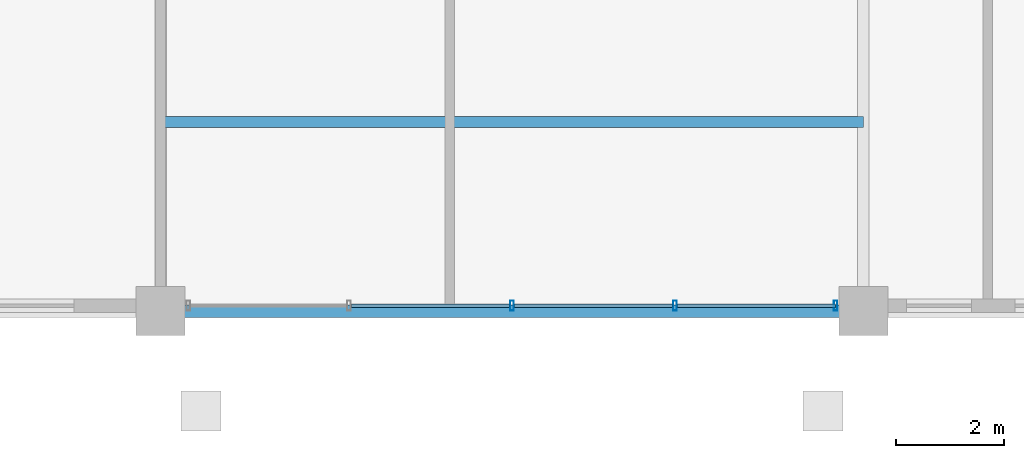
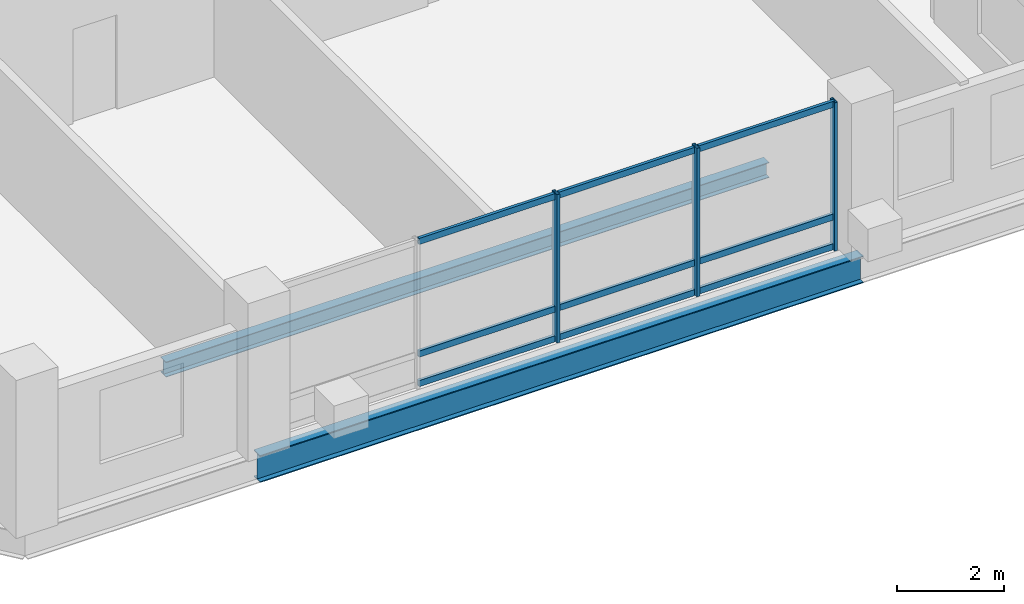
# One storey, part 4 of 21: 12 members, 2 beams, 1 element without a shape of its own.
"""IFC4 building model written with IfcOpenShell, lengths in metres."""

from ifc_helpers import new_model, si_unit, direction, frame, origin, origin_2d, place, context, subcontext, project, spatial, hollow_rectangle, i_section, extrude, material, layer, layer_set, material_profile, profile_set, type_object, element, aggregate, save


model = new_model("IFC4")

# Units and contexts
model_context = context("Model", 3, precision=1e-05, world=origin(), true_north=direction((0.0, 1.0)))
body_context = subcontext(model_context, "Body", "Model", "MODEL_VIEW")
ifc_project = project(units=[si_unit("LENGTHUNIT", "METRE"), si_unit("AREAUNIT", "SQUARE_METRE"), si_unit("VOLUMEUNIT", "CUBIC_METRE"), si_unit("PLANEANGLEUNIT", "RADIAN"), si_unit("MASSUNIT", "GRAM", prefix="KILO")], contexts=[model_context])

# Site, building, storey
site_placement = place(None, origin())
site = spatial("IfcSite", under=ifc_project, at=site_placement, CompositionType="ELEMENT")
building_placement = place(site_placement, origin())
building = spatial("IfcBuilding", under=site, at=building_placement, Name="Barlavira Tower and Art Museum", CompositionType="ELEMENT")
storey_placement = place(building_placement, frame((0.0, 0.0, 254.699951171875)))
storey = spatial("IfcBuildingStorey", under=building, at=storey_placement, Name="L66", CompositionType="ELEMENT", Elevation=254.699951171875)

# Curtain wall, members
ifc_material_1 = material(Name="Low-iron coastal laminated glass", Category="glass")
ifc_layer = layer(ifc_material_1, 0.2099609375, Name="Low-iron coastal laminated glass")
ifc_layer_set = layer_set([ifc_layer], Name="Low-iron coastal laminated glass")
curtain_wall_type = type_object("IfcCurtainWallType", Name="Pale-Metal Unitised Curtain Wall Zone 4", PredefinedType="NOTDEFINED", material=ifc_layer_set)
curtain_wall_placement = place(storey_placement, origin())
curtain_wall = element("IfcCurtainWall", 1, at=curtain_wall_placement, inside=storey, type_object=curtain_wall_type, Name="L66 Curtain Wall CW4-L66-S-B2", PredefinedType="NOTDEFINED")
ifc_material_2 = material(Name="Pale anodised aluminium", Category="aluminium")
ifc_material_profile_1 = material_profile(ifc_material_2, hollow_rectangle(XDim=0.06494140625, YDim=0.179931640625, WallThickness=0.00390625, at=origin_2d()), Name="ALU-MULL 65x180x4")
ifc_profile_set_1 = profile_set([ifc_material_profile_1], Name="Pale anodised aluminium")
member_type_1 = type_object("IfcMemberType", Name="Curtain Wall Pale-Metal Mullion 65x180", PredefinedType="MULLION", material=ifc_profile_set_1)
member_1_placement = place(storey_placement, frame((0.0, -19.89990234375, 0.0), z_axis=(0.0, 0.0, 1.0), x_axis=(1.0, 0.0, 0.0)))
member_1 = element("IfcMember", 2, at=member_1_placement, type_object=member_type_1, Name="CW4-L66-S-B2 Mullion 2", PredefinedType="MULLION", context=body_context, shape_type="SweptSolid", body=[
    extrude(hollow_rectangle(XDim=0.06494140625, YDim=0.179931640625, WallThickness=0.00390625, at=origin_2d()), origin(), (0.0, 0.0, 1.0), 3.380126953125),
])
member_2_placement = place(storey_placement, frame((3.014892578125, -19.89990234375, 0.0), z_axis=(0.0, 0.0, 1.0), x_axis=(1.0, 0.0, 0.0)))
member_2 = element("IfcMember", 3, at=member_2_placement, type_object=member_type_1, Name="CW4-L66-S-B2 Mullion 3", PredefinedType="MULLION", context=body_context, shape_type="SweptSolid", body=[
    extrude(hollow_rectangle(XDim=0.06494140625, YDim=0.179931640625, WallThickness=0.00390625, at=origin_2d()), origin(), (0.0, 0.0, 1.0), 3.380126953125),
])
member_3_placement = place(storey_placement, frame((5.985107421875, -19.89990234375, 0.0), z_axis=(0.0, 0.0, 1.0), x_axis=(1.0, 0.0, 0.0)))
member_3 = element("IfcMember", 4, at=member_3_placement, type_object=member_type_1, Name="CW4-L66-S-B2 Mullion 4", PredefinedType="MULLION", context=body_context, shape_type="SweptSolid", body=[
    extrude(hollow_rectangle(XDim=0.06494140625, YDim=0.179931640625, WallThickness=0.00390625, at=origin_2d()), origin(), (0.0, 0.0, 1.0), 3.380126953125),
])
ifc_material_profile_2 = material_profile(ifc_material_2, hollow_rectangle(XDim=0.06494140625, YDim=0.139892578125, WallThickness=0.00390625, at=origin_2d()), Name="ALU-TRAN 65x140x4")
ifc_profile_set_2 = profile_set([ifc_material_profile_2], Name="Pale anodised aluminium")
member_type_2 = type_object("IfcMemberType", Name="Curtain Wall Pale-Metal Transom 65x140", PredefinedType="USERDEFINED", material=ifc_profile_set_2)
member_4_placement = place(storey_placement, frame((-2.969970703125, -19.89990234375, 0.070068359375), z_axis=(1.0, 0.0, 0.0), x_axis=(0.0, 1.0, 0.0)))
member_4 = element("IfcMember", 5, at=member_4_placement, type_object=member_type_2, Name="CW4-L66-S-B2 Transom 1.1", ObjectType="TRANSOM", PredefinedType="USERDEFINED", context=body_context, shape_type="SweptSolid", body=[
    extrude(hollow_rectangle(XDim=0.06494140625, YDim=0.139892578125, WallThickness=0.00390625, at=origin_2d()), origin(), (0.0, 0.0, 1.0), 2.925048828125),
])
member_5_placement = place(storey_placement, frame((-2.969970703125, -19.89990234375, 0.744140625), z_axis=(1.0, 0.0, 0.0), x_axis=(0.0, 1.0, 0.0)))
member_5 = element("IfcMember", 6, at=member_5_placement, type_object=member_type_2, Name="CW4-L66-S-B2 Transom 1.2", ObjectType="TRANSOM", PredefinedType="USERDEFINED", context=body_context, shape_type="SweptSolid", body=[
    extrude(hollow_rectangle(XDim=0.06494140625, YDim=0.139892578125, WallThickness=0.00390625, at=origin_2d()), origin(), (0.0, 0.0, 1.0), 2.925048828125),
])
member_6_placement = place(storey_placement, frame((-2.969970703125, -19.89990234375, 3.31005859375), z_axis=(1.0, 0.0, 0.0), x_axis=(0.0, 1.0, 0.0)))
member_6 = element("IfcMember", 7, at=member_6_placement, type_object=member_type_2, Name="CW4-L66-S-B2 Transom 1.3", ObjectType="TRANSOM", PredefinedType="USERDEFINED", context=body_context, shape_type="SweptSolid", body=[
    extrude(hollow_rectangle(XDim=0.06494140625, YDim=0.139892578125, WallThickness=0.00390625, at=origin_2d()), origin(), (0.0, 0.0, 1.0), 2.925048828125),
])
member_7_placement = place(storey_placement, frame((0.044921875, -19.89990234375, 0.070068359375), z_axis=(1.0, 0.0, 0.0), x_axis=(0.0, 1.0, 0.0)))
member_7 = element("IfcMember", 8, at=member_7_placement, type_object=member_type_2, Name="CW4-L66-S-B2 Transom 2.1", ObjectType="TRANSOM", PredefinedType="USERDEFINED", context=body_context, shape_type="SweptSolid", body=[
    extrude(hollow_rectangle(XDim=0.06494140625, YDim=0.139892578125, WallThickness=0.00390625, at=origin_2d()), origin(), (0.0, 0.0, 1.0), 2.925048828125),
])
member_8_placement = place(storey_placement, frame((0.044921875, -19.89990234375, 0.744140625), z_axis=(1.0, 0.0, 0.0), x_axis=(0.0, 1.0, 0.0)))
member_8 = element("IfcMember", 9, at=member_8_placement, type_object=member_type_2, Name="CW4-L66-S-B2 Transom 2.2", ObjectType="TRANSOM", PredefinedType="USERDEFINED", context=body_context, shape_type="SweptSolid", body=[
    extrude(hollow_rectangle(XDim=0.06494140625, YDim=0.139892578125, WallThickness=0.00390625, at=origin_2d()), origin(), (0.0, 0.0, 1.0), 2.925048828125),
])
member_9_placement = place(storey_placement, frame((0.044921875, -19.89990234375, 3.31005859375), z_axis=(1.0, 0.0, 0.0), x_axis=(0.0, 1.0, 0.0)))
member_9 = element("IfcMember", 10, at=member_9_placement, type_object=member_type_2, Name="CW4-L66-S-B2 Transom 2.3", ObjectType="TRANSOM", PredefinedType="USERDEFINED", context=body_context, shape_type="SweptSolid", body=[
    extrude(hollow_rectangle(XDim=0.06494140625, YDim=0.139892578125, WallThickness=0.00390625, at=origin_2d()), origin(), (0.0, 0.0, 1.0), 2.925048828125),
])
member_10_placement = place(storey_placement, frame((3.06005859375, -19.89990234375, 0.070068359375), z_axis=(1.0, 0.0, 0.0), x_axis=(0.0, 1.0, 0.0)))
member_10 = element("IfcMember", 11, at=member_10_placement, type_object=member_type_2, Name="CW4-L66-S-B2 Transom 3.1", ObjectType="TRANSOM", PredefinedType="USERDEFINED", context=body_context, shape_type="SweptSolid", body=[
    extrude(hollow_rectangle(XDim=0.06494140625, YDim=0.139892578125, WallThickness=0.00390625, at=origin_2d()), origin(), (0.0, 0.0, 1.0), 2.925048828125),
])
member_11_placement = place(storey_placement, frame((3.06005859375, -19.89990234375, 0.744140625), z_axis=(1.0, 0.0, 0.0), x_axis=(0.0, 1.0, 0.0)))
member_11 = element("IfcMember", 12, at=member_11_placement, type_object=member_type_2, Name="CW4-L66-S-B2 Transom 3.2", ObjectType="TRANSOM", PredefinedType="USERDEFINED", context=body_context, shape_type="SweptSolid", body=[
    extrude(hollow_rectangle(XDim=0.06494140625, YDim=0.139892578125, WallThickness=0.00390625, at=origin_2d()), origin(), (0.0, 0.0, 1.0), 2.925048828125),
])
member_12_placement = place(storey_placement, frame((3.06005859375, -19.89990234375, 3.31005859375), z_axis=(1.0, 0.0, 0.0), x_axis=(0.0, 1.0, 0.0)))
member_12 = element("IfcMember", 13, at=member_12_placement, type_object=member_type_2, Name="CW4-L66-S-B2 Transom 3.3", ObjectType="TRANSOM", PredefinedType="USERDEFINED", context=body_context, shape_type="SweptSolid", body=[
    extrude(hollow_rectangle(XDim=0.06494140625, YDim=0.139892578125, WallThickness=0.00390625, at=origin_2d()), origin(), (0.0, 0.0, 1.0), 2.925048828125),
])
aggregate(curtain_wall, [member_1, member_2, member_3, member_4, member_5, member_6, member_7, member_8, member_9, member_10, member_11, member_12])

# Beams
ifc_material_3 = material(Name="Steel S355", Category="steel")
ifc_material_profile_3 = material_profile(ifc_material_3, i_section(OverallWidth=0.22998046875, OverallDepth=0.616943359375, WebThickness=0.01318359375, FlangeThickness=0.022216796875, at=origin_2d()), Name="W610x140.0")
ifc_profile_set_3 = profile_set([ifc_material_profile_3], Name="Steel S355")
beam_type_1 = type_object("IfcBeamType", Name="Upper Shaft Spandrel Edge Beam W610x140 Steel S355", PredefinedType="SPANDREL", material=ifc_profile_set_3)
beam_1_placement = place(storey_placement, frame((-6.5, -20.0, -0.528564453125), z_axis=(1.0, 0.0, 0.0), x_axis=(0.0, 1.0, 0.0)))
element("IfcBeam", 14, at=beam_1_placement, inside=storey, type_object=beam_type_1, Name="L66 Spandrel 2", PredefinedType="SPANDREL", context=body_context, shape_type="SweptSolid", body=[
    extrude(i_section(OverallWidth=0.22998046875, OverallDepth=0.616943359375, WebThickness=0.01318359375, FlangeThickness=0.022216796875, at=origin_2d()), origin(), (0.0, 0.0, 1.0), 13.0),
])
ifc_material_profile_4 = material_profile(ifc_material_3, i_section(OverallWidth=0.202880859375, OverallDepth=0.346923828125, WebThickness=0.0078125, FlangeThickness=0.013427734375, at=origin_2d()), Name="W360x64.0")
ifc_profile_set_4 = profile_set([ifc_material_profile_4], Name="Steel S355")
beam_type_2 = type_object("IfcBeamType", Name="Zone 4 Composite Floor Joist W360x64 Steel S355", PredefinedType="JOIST", material=ifc_profile_set_4)
beam_2_placement = place(storey_placement, frame((-6.5, -16.5, -0.3935546875), z_axis=(1.0, 0.0, 0.0), x_axis=(0.0, 1.0, 0.0)))
element("IfcBeam", 15, at=beam_2_placement, inside=storey, type_object=beam_type_2, Name="L66 Joist C1", PredefinedType="JOIST", context=body_context, shape_type="SweptSolid", body=[
    extrude(i_section(OverallWidth=0.202880859375, OverallDepth=0.346923828125, WebThickness=0.0078125, FlangeThickness=0.013427734375, at=origin_2d()), origin(), (0.0, 0.0, 1.0), 13.0),
])

save(model, "model.ifc")
